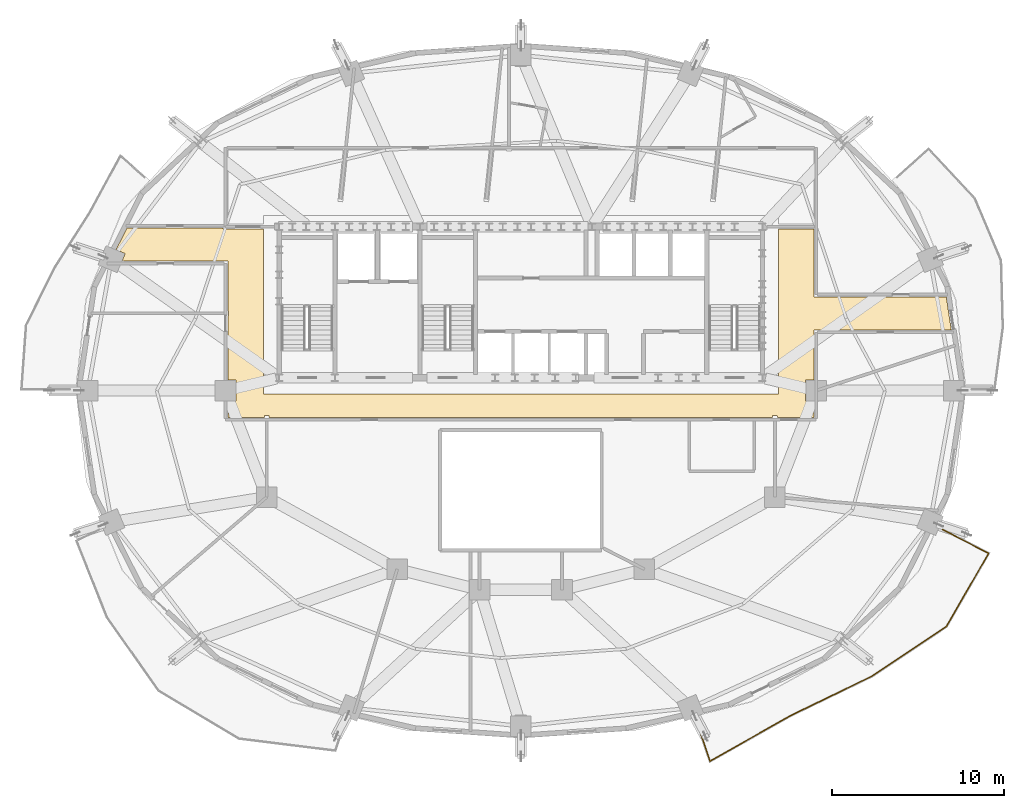
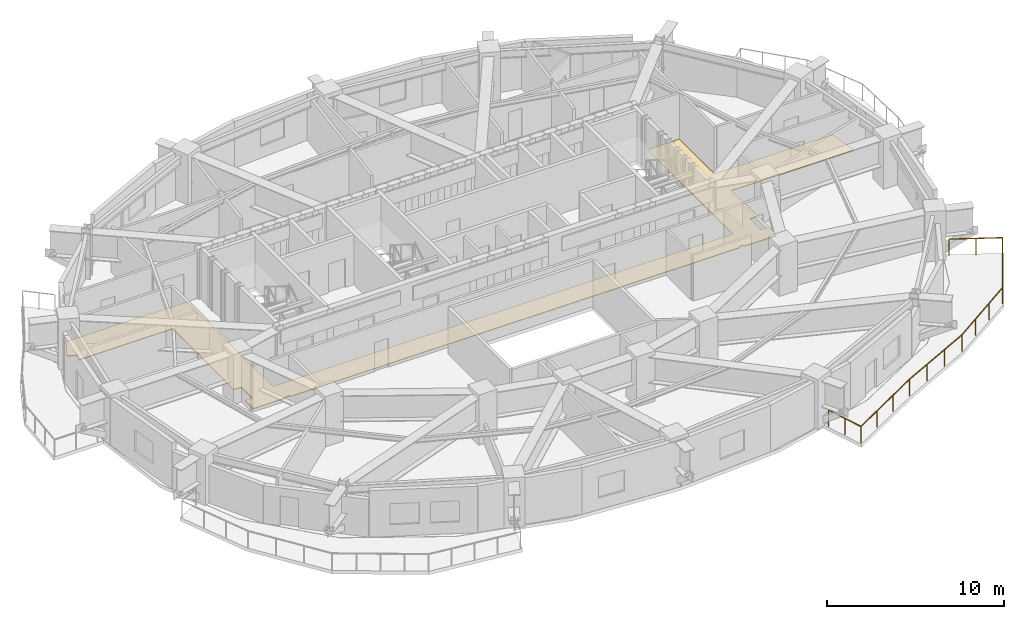
# One storey, part 12 of 14: 1 covering, 1 railing.
"""IFC4 building model written with IfcOpenShell, lengths in metres."""

from ifc_helpers import new_model, si_unit, direction, frame, origin, origin_2d, place, context, subcontext, project, spatial, polyline, rectangle, outline, extrude, material, layer, layer_set, type_object, element, save


model = new_model("IFC4")

# Units and contexts
model_context = context("Model", 3, precision=1e-05, world=origin(), true_north=direction((0.0, 1.0)))
body_context = subcontext(model_context, "Body", "Model", "MODEL_VIEW")
ifc_project = project(units=[si_unit("LENGTHUNIT", "METRE"), si_unit("AREAUNIT", "SQUARE_METRE"), si_unit("VOLUMEUNIT", "CUBIC_METRE"), si_unit("PLANEANGLEUNIT", "RADIAN"), si_unit("MASSUNIT", "GRAM", prefix="KILO")], contexts=[model_context])

# Site, building, storey
site_placement = place(None, origin())
site = spatial("IfcSite", under=ifc_project, at=site_placement, CompositionType="ELEMENT")
building_placement = place(site_placement, origin())
building = spatial("IfcBuilding", under=site, at=building_placement, Name="Haldorwick Loom Tower", CompositionType="ELEMENT")
storey_placement = place(building_placement, frame((0.0, 0.0, 182.050048828125)))
storey = spatial("IfcBuildingStorey", under=building, at=storey_placement, Name="L49", CompositionType="ELEMENT", Elevation=182.050048828125)

# Covering
ifc_material_1 = material(Name="Polished Aggregate Terrazzo Finish")
ifc_layer = layer(ifc_material_1, 0.044921875, Name="Polished Aggregate Terrazzo Finish")
ifc_layer_set = layer_set([ifc_layer], Name="Polished Aggregate Terrazzo Finish")
covering_type = type_object("IfcCoveringType", Name="ARC-COV-FLOOR2", PredefinedType="FLOORING", material=ifc_layer_set)
covering_placement = place(storey_placement, origin())
element("IfcCovering", 1, at=covering_placement, inside=storey, type_object=covering_type, Name="L49 Floor Finish 1", PredefinedType="FLOORING", context=body_context, shape_type="SweptSolid", body=[
    extrude(outline(polyline([(12.420654296875, 34.205322265625), (12.958251953125, 33.982666015625), (12.77490234375, 33.5400390625), (18.919921875, 33.5400390625), (18.922119140625, 33.539794921875), (18.923828125, 33.53955078125), (18.92578125, 33.5390625), (18.927734375, 33.53857421875), (18.929443359375, 33.53759765625), (18.93115234375, 33.53662109375), (18.9326171875, 33.535400390625), (18.93408203125, 33.5341796875), (18.935546875, 33.53271484375), (18.9365234375, 33.531005859375), (18.9375, 33.529296875), (18.9384765625, 33.527587890625), (18.939208984375, 33.52587890625), (18.939697265625, 33.52392578125), (18.93994140625, 33.52197265625), (18.93994140625, 33.52001953125), (18.93994140625, 30.639892578125), (18.969970703125, 30.639892578125), (18.971923828125, 30.639892578125), (18.973876953125, 30.6396484375), (18.975830078125, 30.63916015625), (18.977783203125, 30.638427734375), (18.9794921875, 30.6376953125), (18.981201171875, 30.63671875), (18.982666015625, 30.635498046875), (18.984130859375, 30.634033203125), (18.985595703125, 30.6328125), (18.986572265625, 30.631103515625), (18.987548828125, 30.62939453125), (18.988525390625, 30.627685546875), (18.989013671875, 30.625732421875), (18.989501953125, 30.623779296875), (18.989990234375, 30.6220703125), (18.989990234375, 30.6201171875), (18.989990234375, 30.3798828125), (18.989990234375, 30.3779296875), (18.989501953125, 30.376220703125), (18.989013671875, 30.374267578125), (18.988525390625, 30.372314453125), (18.987548828125, 30.37060546875), (18.986572265625, 30.368896484375), (18.985595703125, 30.3671875), (18.984130859375, 30.365966796875), (18.982666015625, 30.364501953125), (18.981201171875, 30.36328125), (18.9794921875, 30.3623046875), (18.977783203125, 30.361572265625), (18.975830078125, 30.36083984375), (18.973876953125, 30.3603515625), (18.971923828125, 30.360107421875), (18.969970703125, 30.360107421875), (18.93994140625, 30.360107421875), (18.93994140625, 26.60791015625), (19.407958984375, 26.60791015625), (19.407958984375, 25.39208984375), (18.93994140625, 25.39208984375), (18.93994140625, 24.43994140625), (21.06005859375, 24.43994140625), (21.06005859375, 24.52001953125), (21.06005859375, 24.52197265625), (21.060302734375, 24.52392578125), (21.060791015625, 24.52587890625), (21.0615234375, 24.527587890625), (21.0625, 24.529296875), (21.0634765625, 24.531005859375), (21.064453125, 24.53271484375), (21.06591796875, 24.5341796875), (21.0673828125, 24.535400390625), (21.06884765625, 24.53662109375), (21.070556640625, 24.53759765625), (21.072265625, 24.53857421875), (21.07421875, 24.5390625), (21.076171875, 24.53955078125), (21.077880859375, 24.539794921875), (21.080078125, 24.5400390625), (21.320068359375, 24.5400390625), (21.322021484375, 24.539794921875), (21.323974609375, 24.53955078125), (21.32568359375, 24.5390625), (21.32763671875, 24.53857421875), (21.329345703125, 24.53759765625), (21.3310546875, 24.53662109375), (21.332763671875, 24.535400390625), (21.333984375, 24.5341796875), (21.33544921875, 24.53271484375), (21.336669921875, 24.531005859375), (21.337646484375, 24.529296875), (21.33837890625, 24.527587890625), (21.339111328125, 24.52587890625), (21.339599609375, 24.52392578125), (21.33984375, 24.52197265625), (21.340087890625, 24.52001953125), (21.340087890625, 24.43994140625), (50.659912109375, 24.43994140625), (50.659912109375, 24.52001953125), (50.66015625, 24.52197265625), (50.660400390625, 24.52392578125), (50.660888671875, 24.52587890625), (50.66162109375, 24.527587890625), (50.662353515625, 24.529296875), (50.663330078125, 24.531005859375), (50.66455078125, 24.53271484375), (50.666015625, 24.5341796875), (50.667236328125, 24.535400390625), (50.6689453125, 24.53662109375), (50.670654296875, 24.53759765625), (50.67236328125, 24.53857421875), (50.67431640625, 24.5390625), (50.676025390625, 24.53955078125), (50.677978515625, 24.539794921875), (50.679931640625, 24.5400390625), (50.919921875, 24.5400390625), (50.922119140625, 24.539794921875), (50.923828125, 24.53955078125), (50.92578125, 24.5390625), (50.927734375, 24.53857421875), (50.929443359375, 24.53759765625), (50.93115234375, 24.53662109375), (50.9326171875, 24.535400390625), (50.93408203125, 24.5341796875), (50.935546875, 24.53271484375), (50.9365234375, 24.531005859375), (50.9375, 24.529296875), (50.9384765625, 24.527587890625), (50.939208984375, 24.52587890625), (50.939697265625, 24.52392578125), (50.93994140625, 24.52197265625), (50.93994140625, 24.52001953125), (50.93994140625, 24.43994140625), (53.06005859375, 24.43994140625), (53.06005859375, 25.39208984375), (52.592041015625, 25.39208984375), (52.592041015625, 26.60791015625), (53.06005859375, 26.60791015625), (53.06005859375, 29.52001953125), (53.06005859375, 29.52197265625), (53.060302734375, 29.52392578125), (53.060791015625, 29.52587890625), (53.0615234375, 29.527587890625), (53.0625, 29.529296875), (53.0634765625, 29.531005859375), (53.064453125, 29.53271484375), (53.06591796875, 29.5341796875), (53.0673828125, 29.535400390625), (53.06884765625, 29.53662109375), (53.070556640625, 29.53759765625), (53.072265625, 29.53857421875), (53.07421875, 29.5390625), (53.076171875, 29.53955078125), (53.077880859375, 29.539794921875), (53.080078125, 29.5400390625), (61.0712890625, 29.5400390625), (60.77880859375, 31.4599609375), (53.080078125, 31.4599609375), (53.077880859375, 31.460205078125), (53.076171875, 31.46044921875), (53.07421875, 31.4609375), (53.072265625, 31.46142578125), (53.070556640625, 31.46240234375), (53.06884765625, 31.46337890625), (53.0673828125, 31.464599609375), (53.06591796875, 31.4658203125), (53.064453125, 31.46728515625), (53.0634765625, 31.468994140625), (53.0625, 31.470703125), (53.0615234375, 31.472412109375), (53.060791015625, 31.47412109375), (53.060302734375, 31.47607421875), (53.06005859375, 31.47802734375), (53.06005859375, 31.47998046875), (53.06005859375, 35.409912109375), (51.0, 35.409912109375), (51.0, 25.800048828125), (21.0, 25.800048828125), (21.0, 35.409912109375), (18.679931640625, 35.409912109375), (18.677978515625, 35.41015625), (18.676025390625, 35.410400390625), (18.67431640625, 35.410888671875), (18.67236328125, 35.41162109375), (18.670654296875, 35.412353515625), (18.6689453125, 35.413330078125), (18.667236328125, 35.41455078125), (18.666015625, 35.416015625), (18.66455078125, 35.417236328125), (18.663330078125, 35.4189453125), (18.662353515625, 35.420654296875), (18.66162109375, 35.42236328125), (18.660888671875, 35.42431640625), (18.660400390625, 35.426025390625), (18.66015625, 35.427978515625), (18.659912109375, 35.429931640625), (18.659912109375, 35.4599609375), (13.05859375, 35.4599609375), (12.420654296875, 34.205322265625)])), origin(), (0.0, 0.0, 1.0), 0.044921875),
])

# Railing
ifc_material_2 = material(Name="Galvanized Steel CSA G40.21 350W", Category="steel")
railing_type = type_object("IfcRailingType", Name="ARC-RLG-BAL115", PredefinedType="BALUSTRADE", material=ifc_material_2)
railing_placement = place(storey_placement, frame((60.552734375, 17.91259765625, 0.0)))
element("IfcRailing", 2, at=railing_placement, inside=storey, type_object=railing_type, Name="L49 Outdoor Terrace Guardrail SLB-L49-BAL_SE-1", PredefinedType="BALUSTRADE", context=body_context, shape_type="SweptSolid", body=[
    extrude(rectangle(XDim=0.048095703125, YDim=0.048095703125, at=origin_2d()), frame((0.0, 0.0, 1.1259765625), z_axis=(0.88849659396, -0.45888321229, 0.0), x_axis=(0.45888321229, 0.88849659396, 0.0)), (0.0, 0.0, 1.0), 3.02783203125),
    extrude(rectangle(XDim=0.048095703125, YDim=0.048095703125, at=origin_2d()), frame((2.690185546875, -1.389404296875, 1.1259765625), z_axis=(-0.499653669952, -0.866225265219, 0.0), x_axis=(0.866225265219, -0.499653669952, 0.0)), (0.0, 0.0, 1.0), 4.91650390625),
    extrude(rectangle(XDim=0.048095703125, YDim=0.048095703125, at=origin_2d()), frame((0.233642578125, -5.648193359375, 1.1259765625), z_axis=(-0.831587514247, -0.555393739746, 0.0), x_axis=(0.555393739746, -0.831587514247, 0.0)), (0.0, 0.0, 1.0), 5.197509765625),
    extrude(rectangle(XDim=0.048095703125, YDim=0.048095703125, at=origin_2d()), frame((-4.088623046875, -8.534912109375, 1.1259765625), z_axis=(-0.899741530377, -0.436423164503, 0.0), x_axis=(0.436423164503, -0.899741530377, 0.0)), (0.0, 0.0, 1.0), 5.283203125),
    extrude(rectangle(XDim=0.048095703125, YDim=0.048095703125, at=origin_2d()), frame((-8.842041015625, -10.840576171875, 1.1259765625), z_axis=(-0.884918222382, -0.465746432833, 0.0), x_axis=(0.465746432833, -0.884918222382, 0.0)), (0.0, 0.0, 1.0), 0.005126953125),
    extrude(rectangle(XDim=0.048095703125, YDim=0.048095703125, at=origin_2d()), frame((-8.8466796875, -10.843017578125, 1.1259765625), z_axis=(-0.870535813637, -0.492105067212, 0.0), x_axis=(0.492105067212, -0.870535813637, 0.0)), (0.0, 0.0, 1.0), 5.38427734375),
    extrude(rectangle(XDim=0.048095703125, YDim=0.048095703125, at=origin_2d()), frame((-13.533935546875, -13.49267578125, 1.1259765625), z_axis=(-0.318031914644, 0.948080007841, 0.0), x_axis=(-0.948080007841, -0.318031914644, 0.0)), (0.0, 0.0, 1.0), 2.43505859375),
    extrude(rectangle(XDim=0.0419921875, YDim=0.0419921875, at=origin_2d()), origin(), (0.0, 0.0, 1.0), 1.101806640625),
    extrude(rectangle(XDim=0.0419921875, YDim=0.0419921875, at=origin_2d()), frame((1.34521484375, -0.69482421875, 0.0)), (0.0, 0.0, 1.0), 1.101806640625),
    extrude(rectangle(XDim=0.0419921875, YDim=0.0419921875, at=origin_2d()), frame((2.690185546875, -1.389404296875, 0.0)), (0.0, 0.0, 1.0), 1.101806640625),
    extrude(rectangle(XDim=0.0419921875, YDim=0.0419921875, at=origin_2d()), frame((1.871337890625, -2.80908203125, 0.0)), (0.0, 0.0, 1.0), 1.101806640625),
    extrude(rectangle(XDim=0.0419921875, YDim=0.0419921875, at=origin_2d()), frame((1.052490234375, -4.228515625, 0.0)), (0.0, 0.0, 1.0), 1.101806640625),
    extrude(rectangle(XDim=0.0419921875, YDim=0.0419921875, at=origin_2d()), frame((0.233642578125, -5.648193359375, 0.0)), (0.0, 0.0, 1.0), 1.101806640625),
    extrude(rectangle(XDim=0.0419921875, YDim=0.0419921875, at=origin_2d()), frame((-1.20703125, -6.6103515625, 0.0)), (0.0, 0.0, 1.0), 1.101806640625),
    extrude(rectangle(XDim=0.0419921875, YDim=0.0419921875, at=origin_2d()), frame((-2.64794921875, -7.57275390625, 0.0)), (0.0, 0.0, 1.0), 1.101806640625),
    extrude(rectangle(XDim=0.0419921875, YDim=0.0419921875, at=origin_2d()), frame((-4.088623046875, -8.534912109375, 0.0)), (0.0, 0.0, 1.0), 1.101806640625),
    extrude(rectangle(XDim=0.0419921875, YDim=0.0419921875, at=origin_2d()), frame((-5.673095703125, -9.303466796875, 0.0)), (0.0, 0.0, 1.0), 1.101806640625),
    extrude(rectangle(XDim=0.0419921875, YDim=0.0419921875, at=origin_2d()), frame((-7.257568359375, -10.072021484375, 0.0)), (0.0, 0.0, 1.0), 1.101806640625),
    extrude(rectangle(XDim=0.0419921875, YDim=0.0419921875, at=origin_2d()), frame((-8.842041015625, -10.840576171875, 0.0)), (0.0, 0.0, 1.0), 1.101806640625),
    extrude(rectangle(XDim=0.0419921875, YDim=0.0419921875, at=origin_2d()), frame((-10.4091796875, -11.726318359375, 0.0)), (0.0, 0.0, 1.0), 1.101806640625),
    extrude(rectangle(XDim=0.0419921875, YDim=0.0419921875, at=origin_2d()), frame((-11.971435546875, -12.609375, 0.0)), (0.0, 0.0, 1.0), 1.101806640625),
    extrude(rectangle(XDim=0.0419921875, YDim=0.0419921875, at=origin_2d()), frame((-13.533935546875, -13.49267578125, 0.0)), (0.0, 0.0, 1.0), 1.101806640625),
    extrude(rectangle(XDim=0.0419921875, YDim=0.0419921875, at=origin_2d()), frame((-13.921142578125, -12.33837890625, 0.0)), (0.0, 0.0, 1.0), 1.101806640625),
    extrude(rectangle(XDim=0.0419921875, YDim=0.0419921875, at=origin_2d()), frame((-14.308349609375, -11.18408203125, 0.0)), (0.0, 0.0, 1.0), 1.101806640625),
])

save(model, "model.ifc")
